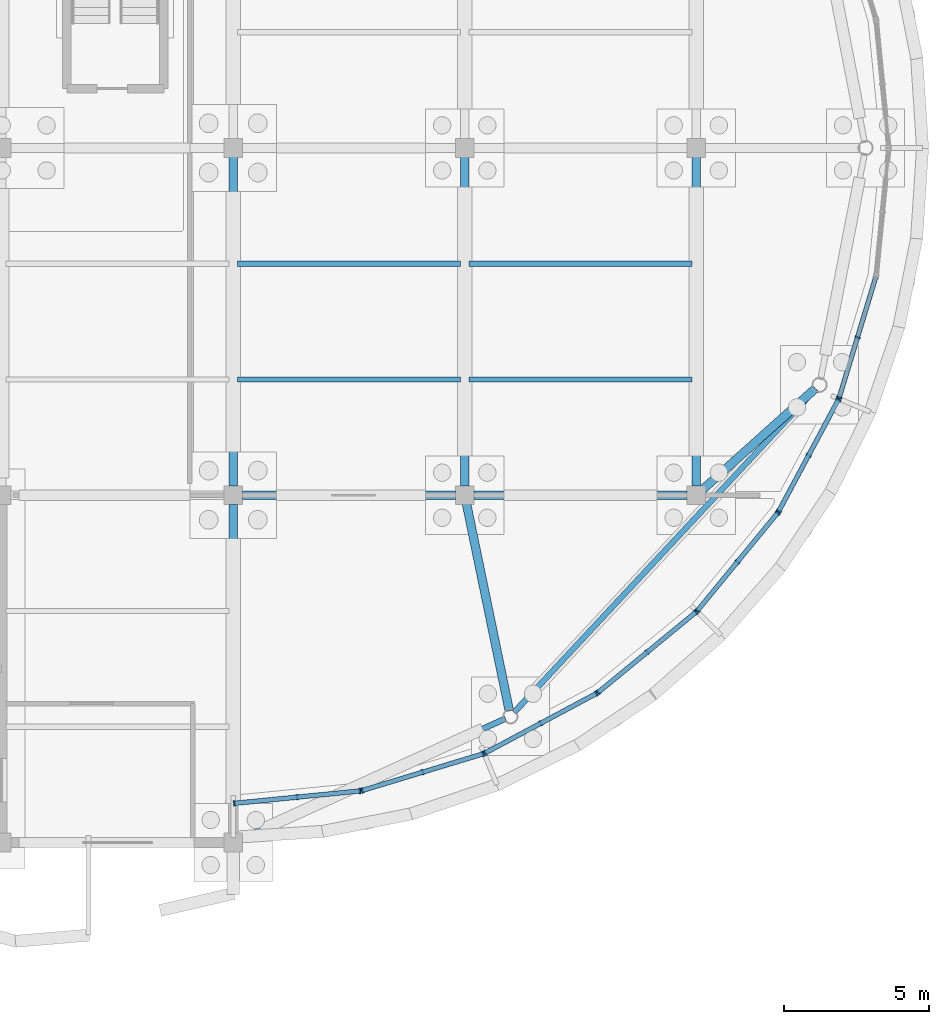
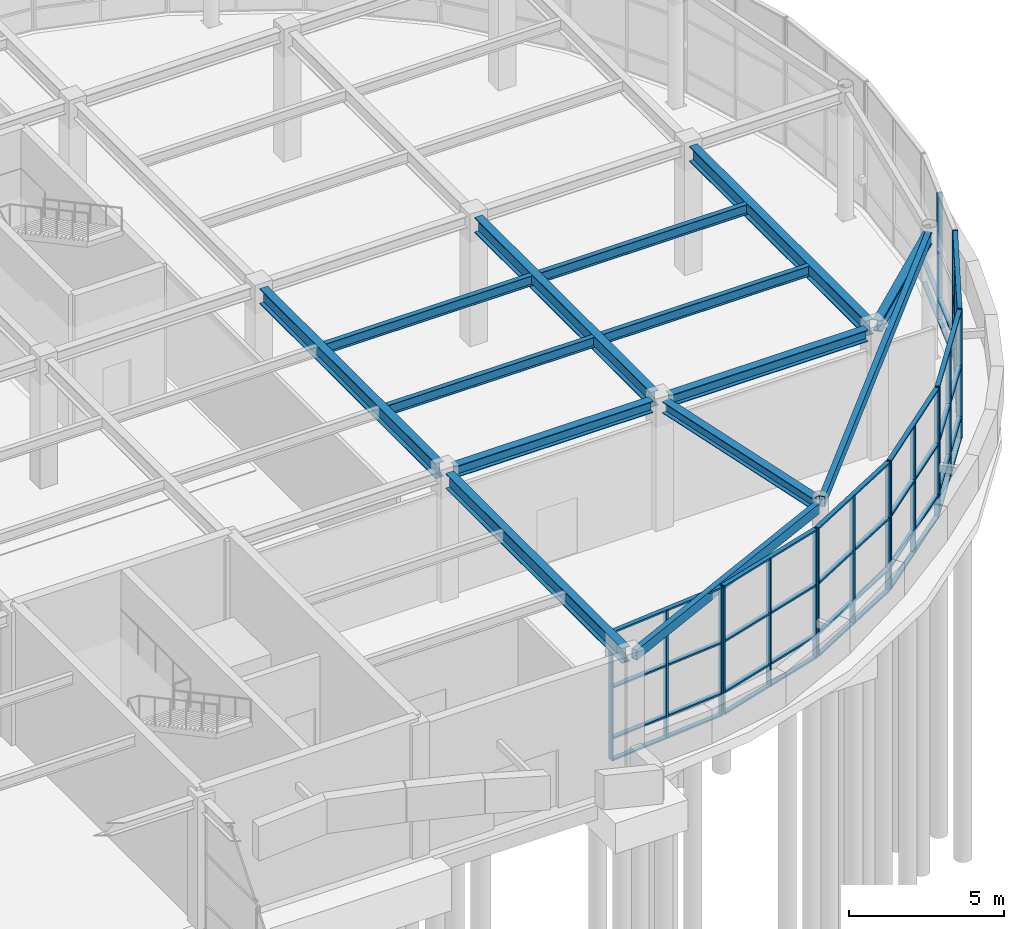
# One storey, part 44 of 85: 46 members, 14 beams, 7 elements without a shape of their own.
"""IFC4 building model written with IfcOpenShell, lengths in metres."""

from ifc_helpers import new_model, si_unit, direction, frame, origin, origin_2d, place, context, subcontext, project, spatial, rectangle, hollow_rectangle, i_section, extrude, material, layer, layer_set, material_profile, profile_set, type_object, element, aggregate, save


model = new_model("IFC4")

# Units and contexts
model_context = context("Model", 3, precision=1e-05, world=origin(), true_north=direction((0.0, 1.0)))
body_context = subcontext(model_context, "Body", "Model", "MODEL_VIEW")
ifc_project = project(units=[si_unit("LENGTHUNIT", "METRE"), si_unit("AREAUNIT", "SQUARE_METRE"), si_unit("VOLUMEUNIT", "CUBIC_METRE"), si_unit("PLANEANGLEUNIT", "RADIAN"), si_unit("MASSUNIT", "GRAM", prefix="KILO")], contexts=[model_context])

# Site, building, storey
site_placement = place(None, origin())
site = spatial("IfcSite", under=ifc_project, at=site_placement, CompositionType="ELEMENT")
building_placement = place(site_placement, origin())
building = spatial("IfcBuilding", under=site, at=building_placement, Name="Keelwater Ferry Terminal", CompositionType="ELEMENT")
storey_placement = place(building_placement, origin())
storey = spatial("IfcBuildingStorey", under=building, at=storey_placement, Name="L00", CompositionType="ELEMENT", Elevation=0.0)

# Curtain wall, members
ifc_material_1 = material(Name="Thermally broken unitised aluminium and triple glass", Category="aluminium")
ifc_layer = layer(ifc_material_1, 0.179931640625)
ifc_layer_set = layer_set([ifc_layer], Name="Thermally broken unitised aluminium and triple glass")
curtain_wall_type = type_object("IfcCurtainWallType", Name="CW-17 Unitised Curtain Wall 4350x5020", PredefinedType="USERDEFINED", material=ifc_layer_set)
curtain_wall_1_placement = place(storey_placement, origin())
curtain_wall_1 = element("IfcCurtainWall", 1, at=curtain_wall_1_placement, inside=storey, type_object=curtain_wall_type, Name="Unitised Curtain Wall CW-L00-093", ObjectType="UNITISED CURTAIN WALL", PredefinedType="USERDEFINED")
ifc_material_2 = material(Name="Aluminium mullion", Category="aluminium")
ifc_material_profile_1 = material_profile(ifc_material_2, rectangle(XDim=0.06494140625, YDim=0.179931640625, at=origin_2d()), Name="CWM-01")
ifc_profile_set_1 = profile_set([ifc_material_profile_1], Name="Aluminium mullion")
member_type_1 = type_object("IfcMemberType", Name="CWM-01 Curtain Mullion 65x180", PredefinedType="MULLION", material=ifc_profile_set_1)
member_1_placement = place(storey_placement, frame((164.044921875, 43.35400390625, 0.0), z_axis=(0.0, 0.0, 1.0), x_axis=(0.995170573079, 0.098160737969, 0.0)))
member_1 = element("IfcMember", 2, at=member_1_placement, type_object=member_type_1, Name="CW-L00-093 Mullion 1", PredefinedType="MULLION", context=body_context, shape_type="SweptSolid", body=[
    extrude(rectangle(XDim=0.06494140625, YDim=0.179931640625, at=origin_2d()), origin(), (0.0, 0.0, 1.0), 5.02001953125),
])
member_2_placement = place(storey_placement, frame((166.20947265625, 43.5673828125, 0.0), z_axis=(0.0, 0.0, 1.0), x_axis=(0.995170573079, 0.098160737969, 0.0)))
member_2 = element("IfcMember", 3, at=member_2_placement, type_object=member_type_1, Name="CW-L00-093 Mullion 2", PredefinedType="MULLION", context=body_context, shape_type="SweptSolid", body=[
    extrude(rectangle(XDim=0.06494140625, YDim=0.179931640625, at=origin_2d()), origin(), (0.0, 0.0, 1.0), 5.02001953125),
])
member_3_placement = place(storey_placement, frame((168.3740234375, 43.781005859375, 0.0), z_axis=(0.0, 0.0, 1.0), x_axis=(0.995170573079, 0.098160737969, 0.0)))
member_3 = element("IfcMember", 4, at=member_3_placement, type_object=member_type_1, Name="CW-L00-093 Mullion 3", PredefinedType="MULLION", context=body_context, shape_type="SweptSolid", body=[
    extrude(rectangle(XDim=0.06494140625, YDim=0.179931640625, at=origin_2d()), origin(), (0.0, 0.0, 1.0), 5.02001953125),
])

curtain_wall_2_placement = place(storey_placement, origin())
curtain_wall_2 = element("IfcCurtainWall", 5, at=curtain_wall_2_placement, inside=storey, type_object=curtain_wall_type, Name="Unitised Curtain Wall CW-L00-094", ObjectType="UNITISED CURTAIN WALL", PredefinedType="USERDEFINED")
member_4_placement = place(storey_placement, frame((168.4619140625, 43.798095703125, 0.0), z_axis=(0.0, 0.0, 1.0), x_axis=(0.956929623319, 0.290319989003, 0.0)))
member_4 = element("IfcMember", 6, at=member_4_placement, type_object=member_type_1, Name="CW-L00-094 Mullion 1", PredefinedType="MULLION", context=body_context, shape_type="SweptSolid", body=[
    extrude(rectangle(XDim=0.06494140625, YDim=0.179931640625, at=origin_2d()), origin(), (0.0, 0.0, 1.0), 5.02001953125),
])
member_5_placement = place(storey_placement, frame((170.54345703125, 44.429443359375, 0.0), z_axis=(0.0, 0.0, 1.0), x_axis=(0.956929623319, 0.290319989003, 0.0)))
member_5 = element("IfcMember", 7, at=member_5_placement, type_object=member_type_1, Name="CW-L00-094 Mullion 2", PredefinedType="MULLION", context=body_context, shape_type="SweptSolid", body=[
    extrude(rectangle(XDim=0.06494140625, YDim=0.179931640625, at=origin_2d()), origin(), (0.0, 0.0, 1.0), 5.02001953125),
])
member_6_placement = place(storey_placement, frame((172.625, 45.06103515625, 0.0), z_axis=(0.0, 0.0, 1.0), x_axis=(0.956929623319, 0.290319989003, 0.0)))
member_6 = element("IfcMember", 8, at=member_6_placement, type_object=member_type_1, Name="CW-L00-094 Mullion 3", PredefinedType="MULLION", context=body_context, shape_type="SweptSolid", body=[
    extrude(rectangle(XDim=0.06494140625, YDim=0.179931640625, at=origin_2d()), origin(), (0.0, 0.0, 1.0), 5.02001953125),
])

curtain_wall_3_placement = place(storey_placement, origin())
curtain_wall_3 = element("IfcCurtainWall", 9, at=curtain_wall_3_placement, inside=storey, type_object=curtain_wall_type, Name="Unitised Curtain Wall CW-L00-095", ObjectType="UNITISED CURTAIN WALL", PredefinedType="USERDEFINED")
member_7_placement = place(storey_placement, frame((172.7080078125, 45.094970703125, 0.0), z_axis=(0.0, 0.0, 1.0), x_axis=(0.881862452632, 0.471506749303, 0.0)))
member_7 = element("IfcMember", 10, at=member_7_placement, type_object=member_type_1, Name="CW-L00-095 Mullion 1", PredefinedType="MULLION", context=body_context, shape_type="SweptSolid", body=[
    extrude(rectangle(XDim=0.06494140625, YDim=0.179931640625, at=origin_2d()), origin(), (0.0, 0.0, 1.0), 5.02001953125),
])
member_8_placement = place(storey_placement, frame((174.6259765625, 46.12060546875, 0.0), z_axis=(0.0, 0.0, 1.0), x_axis=(0.881862452632, 0.471506749303, 0.0)))
member_8 = element("IfcMember", 11, at=member_8_placement, type_object=member_type_1, Name="CW-L00-095 Mullion 2", PredefinedType="MULLION", context=body_context, shape_type="SweptSolid", body=[
    extrude(rectangle(XDim=0.06494140625, YDim=0.179931640625, at=origin_2d()), origin(), (0.0, 0.0, 1.0), 5.02001953125),
])
member_9_placement = place(storey_placement, frame((176.5439453125, 47.14599609375, 0.0), z_axis=(0.0, 0.0, 1.0), x_axis=(0.881862452632, 0.471506749303, 0.0)))
member_9 = element("IfcMember", 12, at=member_9_placement, type_object=member_type_1, Name="CW-L00-095 Mullion 3", PredefinedType="MULLION", context=body_context, shape_type="SweptSolid", body=[
    extrude(rectangle(XDim=0.06494140625, YDim=0.179931640625, at=origin_2d()), origin(), (0.0, 0.0, 1.0), 5.02001953125),
])

curtain_wall_4_placement = place(storey_placement, origin())
curtain_wall_4 = element("IfcCurtainWall", 13, at=curtain_wall_4_placement, inside=storey, type_object=curtain_wall_type, Name="Unitised Curtain Wall CW-L00-096", ObjectType="UNITISED CURTAIN WALL", PredefinedType="USERDEFINED")
member_10_placement = place(storey_placement, frame((176.618896484375, 47.196044921875, 0.0), z_axis=(0.0, 0.0, 1.0), x_axis=(0.773024220086, 0.634376508991, 0.0)))
member_10 = element("IfcMember", 14, at=member_10_placement, type_object=member_type_1, Name="CW-L00-096 Mullion 1", PredefinedType="MULLION", context=body_context, shape_type="SweptSolid", body=[
    extrude(rectangle(XDim=0.06494140625, YDim=0.179931640625, at=origin_2d()), origin(), (0.0, 0.0, 1.0), 5.02001953125),
])
member_11_placement = place(storey_placement, frame((178.300048828125, 48.575439453125, 0.0), z_axis=(0.0, 0.0, 1.0), x_axis=(0.773024220086, 0.634376508991, 0.0)))
member_11 = element("IfcMember", 15, at=member_11_placement, type_object=member_type_1, Name="CW-L00-096 Mullion 2", PredefinedType="MULLION", context=body_context, shape_type="SweptSolid", body=[
    extrude(rectangle(XDim=0.06494140625, YDim=0.179931640625, at=origin_2d()), origin(), (0.0, 0.0, 1.0), 5.02001953125),
])
member_12_placement = place(storey_placement, frame((179.98095703125, 49.955078125, 0.0), z_axis=(0.0, 0.0, 1.0), x_axis=(0.773024220086, 0.634376508991, 0.0)))
member_12 = element("IfcMember", 16, at=member_12_placement, type_object=member_type_1, Name="CW-L00-096 Mullion 3", PredefinedType="MULLION", context=body_context, shape_type="SweptSolid", body=[
    extrude(rectangle(XDim=0.06494140625, YDim=0.179931640625, at=origin_2d()), origin(), (0.0, 0.0, 1.0), 5.02001953125),
])

curtain_wall_5_placement = place(storey_placement, origin())
curtain_wall_5 = element("IfcCurtainWall", 17, at=curtain_wall_5_placement, inside=storey, type_object=curtain_wall_type, Name="Unitised Curtain Wall CW-L00-097", ObjectType="UNITISED CURTAIN WALL", PredefinedType="USERDEFINED")
member_13_placement = place(storey_placement, frame((180.044921875, 50.01904296875, 0.0), z_axis=(0.0, 0.0, 1.0), x_axis=(0.634376508991, 0.773024220086, 0.0)))
member_13 = element("IfcMember", 18, at=member_13_placement, type_object=member_type_1, Name="CW-L00-097 Mullion 1", PredefinedType="MULLION", context=body_context, shape_type="SweptSolid", body=[
    extrude(rectangle(XDim=0.06494140625, YDim=0.179931640625, at=origin_2d()), origin(), (0.0, 0.0, 1.0), 5.02001953125),
])
member_14_placement = place(storey_placement, frame((181.424560546875, 51.699951171875, 0.0), z_axis=(0.0, 0.0, 1.0), x_axis=(0.634376508991, 0.773024220086, 0.0)))
member_14 = element("IfcMember", 19, at=member_14_placement, type_object=member_type_1, Name="CW-L00-097 Mullion 2", PredefinedType="MULLION", context=body_context, shape_type="SweptSolid", body=[
    extrude(rectangle(XDim=0.06494140625, YDim=0.179931640625, at=origin_2d()), origin(), (0.0, 0.0, 1.0), 5.02001953125),
])
member_15_placement = place(storey_placement, frame((182.803955078125, 53.381103515625, 0.0), z_axis=(0.0, 0.0, 1.0), x_axis=(0.634376508991, 0.773024220086, 0.0)))
member_15 = element("IfcMember", 20, at=member_15_placement, type_object=member_type_1, Name="CW-L00-097 Mullion 3", PredefinedType="MULLION", context=body_context, shape_type="SweptSolid", body=[
    extrude(rectangle(XDim=0.06494140625, YDim=0.179931640625, at=origin_2d()), origin(), (0.0, 0.0, 1.0), 5.02001953125),
])

curtain_wall_6_placement = place(storey_placement, origin())
curtain_wall_6 = element("IfcCurtainWall", 21, at=curtain_wall_6_placement, inside=storey, type_object=curtain_wall_type, Name="Unitised Curtain Wall CW-L00-098", ObjectType="UNITISED CURTAIN WALL", PredefinedType="USERDEFINED")
member_16_placement = place(storey_placement, frame((182.85400390625, 53.4560546875, 0.0), z_axis=(0.0, 0.0, 1.0), x_axis=(0.471506749303, 0.881862452632, 0.0)))
member_16 = element("IfcMember", 22, at=member_16_placement, type_object=member_type_1, Name="CW-L00-098 Mullion 1", PredefinedType="MULLION", context=body_context, shape_type="SweptSolid", body=[
    extrude(rectangle(XDim=0.06494140625, YDim=0.179931640625, at=origin_2d()), origin(), (0.0, 0.0, 1.0), 5.02001953125),
])
member_17_placement = place(storey_placement, frame((183.87939453125, 55.3740234375, 0.0), z_axis=(0.0, 0.0, 1.0), x_axis=(0.471506749303, 0.881862452632, 0.0)))
member_17 = element("IfcMember", 23, at=member_17_placement, type_object=member_type_1, Name="CW-L00-098 Mullion 2", PredefinedType="MULLION", context=body_context, shape_type="SweptSolid", body=[
    extrude(rectangle(XDim=0.06494140625, YDim=0.179931640625, at=origin_2d()), origin(), (0.0, 0.0, 1.0), 5.02001953125),
])
member_18_placement = place(storey_placement, frame((184.905029296875, 57.2919921875, 0.0), z_axis=(0.0, 0.0, 1.0), x_axis=(0.471506749303, 0.881862452632, 0.0)))
member_18 = element("IfcMember", 24, at=member_18_placement, type_object=member_type_1, Name="CW-L00-098 Mullion 3", PredefinedType="MULLION", context=body_context, shape_type="SweptSolid", body=[
    extrude(rectangle(XDim=0.06494140625, YDim=0.179931640625, at=origin_2d()), origin(), (0.0, 0.0, 1.0), 5.02001953125),
])

curtain_wall_7_placement = place(storey_placement, origin())
curtain_wall_7 = element("IfcCurtainWall", 25, at=curtain_wall_7_placement, inside=storey, type_object=curtain_wall_type, Name="Unitised Curtain Wall CW-L00-099", ObjectType="UNITISED CURTAIN WALL", PredefinedType="USERDEFINED")
member_19_placement = place(storey_placement, frame((184.93896484375, 57.375, 0.0), z_axis=(0.0, 0.0, 1.0), x_axis=(0.290319989003, 0.956929623319, 0.0)))
member_19 = element("IfcMember", 26, at=member_19_placement, type_object=member_type_1, Name="CW-L00-099 Mullion 1", PredefinedType="MULLION", context=body_context, shape_type="SweptSolid", body=[
    extrude(rectangle(XDim=0.06494140625, YDim=0.179931640625, at=origin_2d()), origin(), (0.0, 0.0, 1.0), 5.02001953125),
])
member_20_placement = place(storey_placement, frame((185.570556640625, 59.45654296875, 0.0), z_axis=(0.0, 0.0, 1.0), x_axis=(0.290319989003, 0.956929623319, 0.0)))
member_20 = element("IfcMember", 27, at=member_20_placement, type_object=member_type_1, Name="CW-L00-099 Mullion 2", PredefinedType="MULLION", context=body_context, shape_type="SweptSolid", body=[
    extrude(rectangle(XDim=0.06494140625, YDim=0.179931640625, at=origin_2d()), origin(), (0.0, 0.0, 1.0), 5.02001953125),
])

# Member
ifc_material_3 = material(Name="Aluminium mullion", Category="aluminium")
ifc_material_profile_2 = material_profile(ifc_material_3, rectangle(XDim=0.159912109375, YDim=0.06494140625, at=origin_2d()), Name="CWT-01")
ifc_profile_set_2 = profile_set([ifc_material_profile_2], Name="Aluminium mullion")
member_type_2 = type_object("IfcMemberType", Name="CWT-01 Curtain Transom 65x160", PredefinedType="USERDEFINED", material=ifc_profile_set_2)
member_21_placement = place(storey_placement, frame((164.044921875, 43.35400390625, 0.0), z_axis=(0.995170754178, 0.098158901932, 0.0), x_axis=(-0.098158901932, 0.995170754178, 0.0)))
member_21 = element("IfcMember", 28, at=member_21_placement, type_object=member_type_2, Name="CW-L00-093 Transom 1", ObjectType="TRANSOM", PredefinedType="USERDEFINED", context=body_context, shape_type="SweptSolid", body=[
    extrude(rectangle(XDim=0.159912109375, YDim=0.06494140625, at=origin_2d()), origin(), (0.0, 0.0, 1.0), 4.35009765625),
])

member_22_placement = place(storey_placement, frame((164.044921875, 43.35400390625, 0.85009765625), z_axis=(0.995170754178, 0.098158901932, 0.0), x_axis=(-0.098158901932, 0.995170754178, 0.0)))
member_22 = element("IfcMember", 29, at=member_22_placement, type_object=member_type_2, Name="CW-L00-093 Transom 2", ObjectType="TRANSOM", PredefinedType="USERDEFINED", context=body_context, shape_type="SweptSolid", body=[
    extrude(rectangle(XDim=0.159912109375, YDim=0.06494140625, at=origin_2d()), origin(), (0.0, 0.0, 1.0), 4.35009765625),
])

member_23_placement = place(storey_placement, frame((164.044921875, 43.35400390625, 2.85009765625), z_axis=(0.995170754178, 0.098158901932, 0.0), x_axis=(-0.098158901932, 0.995170754178, 0.0)))
member_23 = element("IfcMember", 30, at=member_23_placement, type_object=member_type_2, Name="CW-L00-093 Transom 3", ObjectType="TRANSOM", PredefinedType="USERDEFINED", context=body_context, shape_type="SweptSolid", body=[
    extrude(rectangle(XDim=0.159912109375, YDim=0.06494140625, at=origin_2d()), origin(), (0.0, 0.0, 1.0), 4.35009765625),
])

member_24_placement = place(storey_placement, frame((164.044921875, 43.35400390625, 5.02001953125), z_axis=(0.995170754178, 0.098158901932, 0.0), x_axis=(-0.098158901932, 0.995170754178, 0.0)))
member_24 = element("IfcMember", 31, at=member_24_placement, type_object=member_type_2, Name="CW-L00-093 Transom 4", ObjectType="TRANSOM", PredefinedType="USERDEFINED", context=body_context, shape_type="SweptSolid", body=[
    extrude(rectangle(XDim=0.159912109375, YDim=0.06494140625, at=origin_2d()), origin(), (0.0, 0.0, 1.0), 4.35009765625),
])

aggregate(curtain_wall_1, [member_1, member_2, member_3, member_21, member_22, member_23, member_24])

member_25_placement = place(storey_placement, frame((168.4619140625, 43.798095703125, 0.0), z_axis=(0.956935154583, 0.290301756665, 0.0), x_axis=(-0.290301756665, 0.956935154583, 0.0)))
member_25 = element("IfcMember", 32, at=member_25_placement, type_object=member_type_2, Name="CW-L00-094 Transom 1", ObjectType="TRANSOM", PredefinedType="USERDEFINED", context=body_context, shape_type="SweptSolid", body=[
    extrude(rectangle(XDim=0.159912109375, YDim=0.06494140625, at=origin_2d()), origin(), (0.0, 0.0, 1.0), 4.350341796875),
])

member_26_placement = place(storey_placement, frame((168.4619140625, 43.798095703125, 0.85009765625), z_axis=(0.956935154583, 0.290301756665, 0.0), x_axis=(-0.290301756665, 0.956935154583, 0.0)))
member_26 = element("IfcMember", 33, at=member_26_placement, type_object=member_type_2, Name="CW-L00-094 Transom 2", ObjectType="TRANSOM", PredefinedType="USERDEFINED", context=body_context, shape_type="SweptSolid", body=[
    extrude(rectangle(XDim=0.159912109375, YDim=0.06494140625, at=origin_2d()), origin(), (0.0, 0.0, 1.0), 4.350341796875),
])

member_27_placement = place(storey_placement, frame((168.4619140625, 43.798095703125, 2.85009765625), z_axis=(0.956935154583, 0.290301756665, 0.0), x_axis=(-0.290301756665, 0.956935154583, 0.0)))
member_27 = element("IfcMember", 34, at=member_27_placement, type_object=member_type_2, Name="CW-L00-094 Transom 3", ObjectType="TRANSOM", PredefinedType="USERDEFINED", context=body_context, shape_type="SweptSolid", body=[
    extrude(rectangle(XDim=0.159912109375, YDim=0.06494140625, at=origin_2d()), origin(), (0.0, 0.0, 1.0), 4.350341796875),
])

member_28_placement = place(storey_placement, frame((168.4619140625, 43.798095703125, 5.02001953125), z_axis=(0.956935154583, 0.290301756665, 0.0), x_axis=(-0.290301756665, 0.956935154583, 0.0)))
member_28 = element("IfcMember", 35, at=member_28_placement, type_object=member_type_2, Name="CW-L00-094 Transom 4", ObjectType="TRANSOM", PredefinedType="USERDEFINED", context=body_context, shape_type="SweptSolid", body=[
    extrude(rectangle(XDim=0.159912109375, YDim=0.06494140625, at=origin_2d()), origin(), (0.0, 0.0, 1.0), 4.350341796875),
])

aggregate(curtain_wall_2, [member_4, member_5, member_6, member_25, member_26, member_27, member_28])

member_29_placement = place(storey_placement, frame((172.7080078125, 45.094970703125, 0.0), z_axis=(0.881856831112, 0.471517263122, 0.0), x_axis=(-0.471517263122, 0.881856831112, 0.0)))
member_29 = element("IfcMember", 36, at=member_29_placement, type_object=member_type_2, Name="CW-L00-095 Transom 1", ObjectType="TRANSOM", PredefinedType="USERDEFINED", context=body_context, shape_type="SweptSolid", body=[
    extrude(rectangle(XDim=0.159912109375, YDim=0.06494140625, at=origin_2d()), origin(), (0.0, 0.0, 1.0), 4.349853515625),
])

member_30_placement = place(storey_placement, frame((172.7080078125, 45.094970703125, 0.85009765625), z_axis=(0.881856831112, 0.471517263122, 0.0), x_axis=(-0.471517263122, 0.881856831112, 0.0)))
member_30 = element("IfcMember", 37, at=member_30_placement, type_object=member_type_2, Name="CW-L00-095 Transom 2", ObjectType="TRANSOM", PredefinedType="USERDEFINED", context=body_context, shape_type="SweptSolid", body=[
    extrude(rectangle(XDim=0.159912109375, YDim=0.06494140625, at=origin_2d()), origin(), (0.0, 0.0, 1.0), 4.349853515625),
])

member_31_placement = place(storey_placement, frame((172.7080078125, 45.094970703125, 2.85009765625), z_axis=(0.881856831112, 0.471517263122, 0.0), x_axis=(-0.471517263122, 0.881856831112, 0.0)))
member_31 = element("IfcMember", 38, at=member_31_placement, type_object=member_type_2, Name="CW-L00-095 Transom 3", ObjectType="TRANSOM", PredefinedType="USERDEFINED", context=body_context, shape_type="SweptSolid", body=[
    extrude(rectangle(XDim=0.159912109375, YDim=0.06494140625, at=origin_2d()), origin(), (0.0, 0.0, 1.0), 4.349853515625),
])

member_32_placement = place(storey_placement, frame((172.7080078125, 45.094970703125, 5.02001953125), z_axis=(0.881856831112, 0.471517263122, 0.0), x_axis=(-0.471517263122, 0.881856831112, 0.0)))
member_32 = element("IfcMember", 39, at=member_32_placement, type_object=member_type_2, Name="CW-L00-095 Transom 4", ObjectType="TRANSOM", PredefinedType="USERDEFINED", context=body_context, shape_type="SweptSolid", body=[
    extrude(rectangle(XDim=0.159912109375, YDim=0.06494140625, at=origin_2d()), origin(), (0.0, 0.0, 1.0), 4.349853515625),
])

aggregate(curtain_wall_3, [member_7, member_8, member_9, member_29, member_30, member_31, member_32])

member_33_placement = place(storey_placement, frame((176.618896484375, 47.196044921875, 0.0), z_axis=(0.773026078732, 0.634374244118, 0.0), x_axis=(-0.634374244118, 0.773026078732, 0.0)))
member_33 = element("IfcMember", 40, at=member_33_placement, type_object=member_type_2, Name="CW-L00-096 Transom 1", ObjectType="TRANSOM", PredefinedType="USERDEFINED", context=body_context, shape_type="SweptSolid", body=[
    extrude(rectangle(XDim=0.159912109375, YDim=0.06494140625, at=origin_2d()), origin(), (0.0, 0.0, 1.0), 4.34912109375),
])

member_34_placement = place(storey_placement, frame((176.618896484375, 47.196044921875, 0.85009765625), z_axis=(0.773026078732, 0.634374244118, 0.0), x_axis=(-0.634374244118, 0.773026078732, 0.0)))
member_34 = element("IfcMember", 41, at=member_34_placement, type_object=member_type_2, Name="CW-L00-096 Transom 2", ObjectType="TRANSOM", PredefinedType="USERDEFINED", context=body_context, shape_type="SweptSolid", body=[
    extrude(rectangle(XDim=0.159912109375, YDim=0.06494140625, at=origin_2d()), origin(), (0.0, 0.0, 1.0), 4.34912109375),
])

member_35_placement = place(storey_placement, frame((176.618896484375, 47.196044921875, 2.85009765625), z_axis=(0.773026078732, 0.634374244118, 0.0), x_axis=(-0.634374244118, 0.773026078732, 0.0)))
member_35 = element("IfcMember", 42, at=member_35_placement, type_object=member_type_2, Name="CW-L00-096 Transom 3", ObjectType="TRANSOM", PredefinedType="USERDEFINED", context=body_context, shape_type="SweptSolid", body=[
    extrude(rectangle(XDim=0.159912109375, YDim=0.06494140625, at=origin_2d()), origin(), (0.0, 0.0, 1.0), 4.34912109375),
])

member_36_placement = place(storey_placement, frame((176.618896484375, 47.196044921875, 5.02001953125), z_axis=(0.773026078732, 0.634374244118, 0.0), x_axis=(-0.634374244118, 0.773026078732, 0.0)))
member_36 = element("IfcMember", 43, at=member_36_placement, type_object=member_type_2, Name="CW-L00-096 Transom 4", ObjectType="TRANSOM", PredefinedType="USERDEFINED", context=body_context, shape_type="SweptSolid", body=[
    extrude(rectangle(XDim=0.159912109375, YDim=0.06494140625, at=origin_2d()), origin(), (0.0, 0.0, 1.0), 4.34912109375),
])

aggregate(curtain_wall_4, [member_10, member_11, member_12, member_33, member_34, member_35, member_36])

member_37_placement = place(storey_placement, frame((180.044921875, 50.01904296875, 0.0), z_axis=(0.634374244118, 0.773026078732, 0.0), x_axis=(-0.773026078732, 0.634374244118, 0.0)))
member_37 = element("IfcMember", 44, at=member_37_placement, type_object=member_type_2, Name="CW-L00-097 Transom 1", ObjectType="TRANSOM", PredefinedType="USERDEFINED", context=body_context, shape_type="SweptSolid", body=[
    extrude(rectangle(XDim=0.159912109375, YDim=0.06494140625, at=origin_2d()), origin(), (0.0, 0.0, 1.0), 4.34912109375),
])

member_38_placement = place(storey_placement, frame((180.044921875, 50.01904296875, 0.85009765625), z_axis=(0.634374244118, 0.773026078732, 0.0), x_axis=(-0.773026078732, 0.634374244118, 0.0)))
member_38 = element("IfcMember", 45, at=member_38_placement, type_object=member_type_2, Name="CW-L00-097 Transom 2", ObjectType="TRANSOM", PredefinedType="USERDEFINED", context=body_context, shape_type="SweptSolid", body=[
    extrude(rectangle(XDim=0.159912109375, YDim=0.06494140625, at=origin_2d()), origin(), (0.0, 0.0, 1.0), 4.34912109375),
])

member_39_placement = place(storey_placement, frame((180.044921875, 50.01904296875, 2.85009765625), z_axis=(0.634374244118, 0.773026078732, 0.0), x_axis=(-0.773026078732, 0.634374244118, 0.0)))
member_39 = element("IfcMember", 46, at=member_39_placement, type_object=member_type_2, Name="CW-L00-097 Transom 3", ObjectType="TRANSOM", PredefinedType="USERDEFINED", context=body_context, shape_type="SweptSolid", body=[
    extrude(rectangle(XDim=0.159912109375, YDim=0.06494140625, at=origin_2d()), origin(), (0.0, 0.0, 1.0), 4.34912109375),
])

member_40_placement = place(storey_placement, frame((180.044921875, 50.01904296875, 5.02001953125), z_axis=(0.634374244118, 0.773026078732, 0.0), x_axis=(-0.773026078732, 0.634374244118, 0.0)))
member_40 = element("IfcMember", 47, at=member_40_placement, type_object=member_type_2, Name="CW-L00-097 Transom 4", ObjectType="TRANSOM", PredefinedType="USERDEFINED", context=body_context, shape_type="SweptSolid", body=[
    extrude(rectangle(XDim=0.159912109375, YDim=0.06494140625, at=origin_2d()), origin(), (0.0, 0.0, 1.0), 4.34912109375),
])

aggregate(curtain_wall_5, [member_13, member_14, member_15, member_37, member_38, member_39, member_40])

member_41_placement = place(storey_placement, frame((182.85400390625, 53.4560546875, 0.0), z_axis=(0.471517263122, 0.881856831112, 0.0), x_axis=(-0.881856831112, 0.471517263122, 0.0)))
member_41 = element("IfcMember", 48, at=member_41_placement, type_object=member_type_2, Name="CW-L00-098 Transom 1", ObjectType="TRANSOM", PredefinedType="USERDEFINED", context=body_context, shape_type="SweptSolid", body=[
    extrude(rectangle(XDim=0.159912109375, YDim=0.06494140625, at=origin_2d()), origin(), (0.0, 0.0, 1.0), 4.349853515625),
])

member_42_placement = place(storey_placement, frame((182.85400390625, 53.4560546875, 0.85009765625), z_axis=(0.471517263122, 0.881856831112, 0.0), x_axis=(-0.881856831112, 0.471517263122, 0.0)))
member_42 = element("IfcMember", 49, at=member_42_placement, type_object=member_type_2, Name="CW-L00-098 Transom 2", ObjectType="TRANSOM", PredefinedType="USERDEFINED", context=body_context, shape_type="SweptSolid", body=[
    extrude(rectangle(XDim=0.159912109375, YDim=0.06494140625, at=origin_2d()), origin(), (0.0, 0.0, 1.0), 4.349853515625),
])

member_43_placement = place(storey_placement, frame((182.85400390625, 53.4560546875, 2.85009765625), z_axis=(0.471517263122, 0.881856831112, 0.0), x_axis=(-0.881856831112, 0.471517263122, 0.0)))
member_43 = element("IfcMember", 50, at=member_43_placement, type_object=member_type_2, Name="CW-L00-098 Transom 3", ObjectType="TRANSOM", PredefinedType="USERDEFINED", context=body_context, shape_type="SweptSolid", body=[
    extrude(rectangle(XDim=0.159912109375, YDim=0.06494140625, at=origin_2d()), origin(), (0.0, 0.0, 1.0), 4.349853515625),
])

member_44_placement = place(storey_placement, frame((182.85400390625, 53.4560546875, 5.02001953125), z_axis=(0.471517263122, 0.881856831112, 0.0), x_axis=(-0.881856831112, 0.471517263122, 0.0)))
member_44 = element("IfcMember", 51, at=member_44_placement, type_object=member_type_2, Name="CW-L00-098 Transom 4", ObjectType="TRANSOM", PredefinedType="USERDEFINED", context=body_context, shape_type="SweptSolid", body=[
    extrude(rectangle(XDim=0.159912109375, YDim=0.06494140625, at=origin_2d()), origin(), (0.0, 0.0, 1.0), 4.349853515625),
])

aggregate(curtain_wall_6, [member_16, member_17, member_18, member_41, member_42, member_43, member_44])

member_45_placement = place(storey_placement, frame((184.93896484375, 57.375, 0.0), z_axis=(0.290301756665, 0.956935154583, 0.0), x_axis=(-0.956935154583, 0.290301756665, 0.0)))
member_45 = element("IfcMember", 52, at=member_45_placement, type_object=member_type_2, Name="CW-L00-099 Transom 1", ObjectType="TRANSOM", PredefinedType="USERDEFINED", context=body_context, shape_type="SweptSolid", body=[
    extrude(rectangle(XDim=0.159912109375, YDim=0.06494140625, at=origin_2d()), origin(), (0.0, 0.0, 1.0), 4.350341796875),
])

member_46_placement = place(storey_placement, frame((184.93896484375, 57.375, 0.85009765625), z_axis=(0.290301756665, 0.956935154583, 0.0), x_axis=(-0.956935154583, 0.290301756665, 0.0)))
member_46 = element("IfcMember", 53, at=member_46_placement, type_object=member_type_2, Name="CW-L00-099 Transom 2", ObjectType="TRANSOM", PredefinedType="USERDEFINED", context=body_context, shape_type="SweptSolid", body=[
    extrude(rectangle(XDim=0.159912109375, YDim=0.06494140625, at=origin_2d()), origin(), (0.0, 0.0, 1.0), 4.350341796875),
])

aggregate(curtain_wall_7, [member_19, member_20, member_45, member_46])

# Beams
ifc_material_4 = material(Name="Steel S355", Category="steel")
ifc_material_profile_3 = material_profile(ifc_material_4, i_section(OverallWidth=0.300048828125, OverallDepth=0.60009765625, WebThickness=0.015380859375, FlangeThickness=0.030029296875, at=origin_2d()), Name="HEB 600")
ifc_profile_set_3 = profile_set([ifc_material_profile_3], Name="Steel S355")
beam_type_1 = type_object("IfcBeamType", Name="G3 HEB 600", PredefinedType="BEAM", material=ifc_profile_set_3)
for number, where, z_axis, x_axis, name in (
    (54, (164.0, 42.318115234375, 4.760009765625), (0.0, 1.0, 0.0), (-1.0, 0.0, 0.0), "Beam BM-L00-0285"),
    (55, (164.0, 54.318115234375, 4.760009765625), (0.0, 1.0, 0.0), (-1.0, 0.0, 0.0), "Beam BM-L00-0286"),
):
    element("IfcBeam", number, at=place(storey_placement, frame(where, z_axis=z_axis, x_axis=x_axis)), inside=storey, type_object=beam_type_1, Name=name, PredefinedType="BEAM", context=body_context, shape_type="SweptSolid", body=[
        extrude(i_section(OverallWidth=0.300048828125, OverallDepth=0.60009765625, WebThickness=0.015380859375, FlangeThickness=0.030029296875, at=origin_2d()), origin(), (0.0, 0.0, 1.0), 11.36376953125),
    ])
ifc_material_5 = material(Name="Steel S355", Category="steel")
ifc_material_profile_4 = material_profile(ifc_material_5, i_section(OverallWidth=0.300048828125, OverallDepth=0.60009765625, WebThickness=0.015380859375, FlangeThickness=0.030029296875, at=origin_2d()), Name="HEB 600")
ifc_profile_set_4 = profile_set([ifc_material_profile_4], Name="Steel S355")
beam_type_2 = type_object("IfcBeamType", Name="G3E HEB 600", PredefinedType="BEAM", material=ifc_profile_set_4)
for number, where, z_axis, x_axis, name in (
    (56, (172.0, 54.318115234375, 4.760009765625), (0.0, 1.0, 0.0), (-1.0, 0.0, 0.0), "Beam BM-L00-0292"),
    (57, (180.0, 54.318115234375, 4.760009765625), (0.0, 1.0, 0.0), (-1.0, 0.0, 0.0), "Beam BM-L00-0298"),
):
    element("IfcBeam", number, at=place(storey_placement, frame(where, z_axis=z_axis, x_axis=x_axis)), inside=storey, type_object=beam_type_2, Name=name, PredefinedType="BEAM", context=body_context, shape_type="SweptSolid", body=[
        extrude(i_section(OverallWidth=0.300048828125, OverallDepth=0.60009765625, WebThickness=0.015380859375, FlangeThickness=0.030029296875, at=origin_2d()), origin(), (0.0, 0.0, 1.0), 11.36376953125),
    ])
ifc_material_6 = material(Name="Steel S355", Category="steel")
ifc_material_profile_5 = material_profile(ifc_material_6, i_section(OverallWidth=0.300048828125, OverallDepth=0.449951171875, WebThickness=0.013916015625, FlangeThickness=0.02587890625, at=origin_2d()), Name="HEB 450")
ifc_profile_set_5 = profile_set([ifc_material_profile_5], Name="Steel S355")
beam_type_3 = type_object("IfcBeamType", Name="G6 HEB 450", PredefinedType="BEAM", material=ifc_profile_set_5)
for number, where, z_axis, x_axis, name in (
    (58, (164.318115234375, 54.0, 4.8349609375), (1.0, 0.0, 0.0), (0.0, 1.0, 0.0), "Beam BM-L00-0047"),
    (59, (172.318115234375, 54.0, 4.8349609375), (1.0, 0.0, 0.0), (0.0, 1.0, 0.0), "Beam BM-L00-0048"),
):
    element("IfcBeam", number, at=place(storey_placement, frame(where, z_axis=z_axis, x_axis=x_axis)), inside=storey, type_object=beam_type_3, Name=name, PredefinedType="BEAM", context=body_context, shape_type="SweptSolid", body=[
        extrude(i_section(OverallWidth=0.300048828125, OverallDepth=0.449951171875, WebThickness=0.013916015625, FlangeThickness=0.02587890625, at=origin_2d()), origin(), (0.0, 0.0, 1.0), 7.36376953125),
    ])
beam_1_placement = place(storey_placement, frame((184.116943359375, 57.68798828125, 4.8349609375), z_axis=(-0.74477067713, -0.667320491584, 0.0), x_axis=(0.667320491584, -0.74477067713, 0.0)))
element("IfcBeam", 60, at=beam_1_placement, inside=storey, type_object=beam_type_3, Name="Beam BM-L00-0603", PredefinedType="BEAM", context=body_context, shape_type="SweptSolid", body=[
    extrude(i_section(OverallWidth=0.300048828125, OverallDepth=0.449951171875, WebThickness=0.013916015625, FlangeThickness=0.02587890625, at=origin_2d()), origin(), (0.0, 0.0, 1.0), 5.239013671875),
])
beam_2_placement = place(storey_placement, frame((173.5400390625, 46.547119140625, 4.8349609375), z_axis=(-0.202409327113, 0.979301008014, 0.0), x_axis=(-0.979301008014, -0.202409327113, 0.0)))
element("IfcBeam", 61, at=beam_2_placement, inside=storey, type_object=beam_type_3, Name="Beam BM-L00-0604", PredefinedType="BEAM", context=body_context, shape_type="SweptSolid", body=[
    extrude(i_section(OverallWidth=0.300048828125, OverallDepth=0.449951171875, WebThickness=0.013916015625, FlangeThickness=0.02587890625, at=origin_2d()), origin(), (0.0, 0.0, 1.0), 7.321533203125),
])
ifc_material_7 = material(Name="Steel S355", Category="steel")
ifc_material_profile_6 = material_profile(ifc_material_7, i_section(OverallWidth=0.179931640625, OverallDepth=0.39990234375, WebThickness=0.008544921875, FlangeThickness=0.013427734375, at=origin_2d()), Name="IPE 400")
ifc_profile_set_6 = profile_set([ifc_material_profile_6], Name="Steel S355")
beam_type_4 = type_object("IfcBeamType", Name="J5 IPE 400", PredefinedType="JOIST", material=ifc_profile_set_6)
for number, where, z_axis, x_axis, name in (
    (62, (164.14990234375, 58.0, 4.860107421875), (1.0, 0.0, 0.0), (0.0, 1.0, 0.0), "Beam BM-L00-0563"),
    (63, (164.14990234375, 62.0, 4.860107421875), (1.0, 0.0, 0.0), (0.0, 1.0, 0.0), "Beam BM-L00-0564"),
    (64, (172.14990234375, 58.0, 4.860107421875), (1.0, 0.0, 0.0), (0.0, 1.0, 0.0), "Beam BM-L00-0573"),
    (65, (172.14990234375, 62.0, 4.860107421875), (1.0, 0.0, 0.0), (0.0, 1.0, 0.0), "Beam BM-L00-0574"),
):
    element("IfcBeam", number, at=place(storey_placement, frame(where, z_axis=z_axis, x_axis=x_axis)), inside=storey, type_object=beam_type_4, Name=name, PredefinedType="JOIST", context=body_context, shape_type="SweptSolid", body=[
        extrude(i_section(OverallWidth=0.179931640625, OverallDepth=0.39990234375, WebThickness=0.008544921875, FlangeThickness=0.013427734375, at=origin_2d()), origin(), (0.0, 0.0, 1.0), 7.7001953125),
    ])
ifc_material_8 = material(Name="Steel S355", Category="steel")
ifc_material_profile_7 = material_profile(ifc_material_8, hollow_rectangle(XDim=0.199951171875, YDim=0.39990234375, WallThickness=0.01611328125, at=origin_2d()), Name="RHS 400x200x16")
ifc_profile_set_7 = profile_set([ifc_material_profile_7], Name="Steel S355")
beam_type_5 = type_object("IfcBeamType", Name="SP3E RHS 400x200x16", PredefinedType="SPANDREL", material=ifc_profile_set_7)
beam_3_placement = place(storey_placement, frame((184.12890625, 57.676025390625, 4.860107421875), z_axis=(-0.681966371638, -0.731383529999, 0.0), x_axis=(0.731383529999, -0.681966371638, 0.0)))
element("IfcBeam", 66, at=beam_3_placement, inside=storey, type_object=beam_type_5, Name="Beam BM-L00-0599", PredefinedType="SPANDREL", context=body_context, shape_type="SweptSolid", body=[
    extrude(hollow_rectangle(XDim=0.199951171875, YDim=0.39990234375, WallThickness=0.01611328125, at=origin_2d()), origin(), (0.0, 0.0, 1.0), 15.28076171875),
])
beam_4_placement = place(storey_placement, frame((173.405029296875, 46.281982421875, 4.860107421875), z_axis=(-0.910123163328, -0.414337818181, 0.0), x_axis=(0.414337818181, -0.910123163328, 0.0)))
element("IfcBeam", 67, at=beam_4_placement, inside=storey, type_object=beam_type_5, Name="Beam BM-L00-0600", PredefinedType="SPANDREL", context=body_context, shape_type="SweptSolid", body=[
    extrude(hollow_rectangle(XDim=0.199951171875, YDim=0.39990234375, WallThickness=0.01611328125, at=origin_2d()), origin(), (0.0, 0.0, 1.0), 10.1435546875),
])

save(model, "model.ifc")
